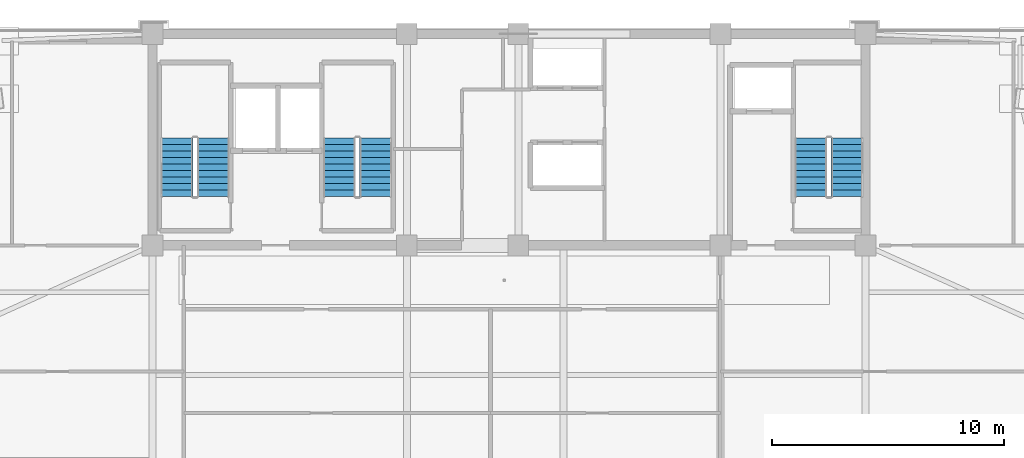
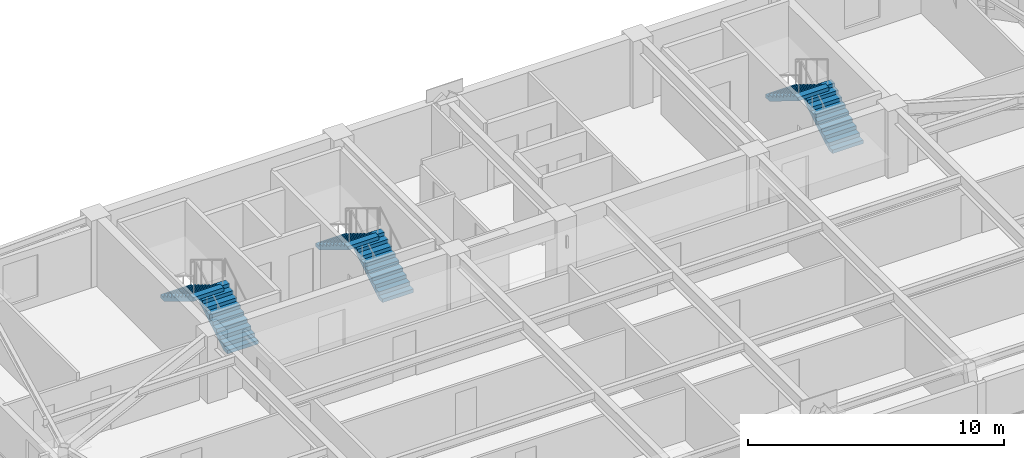
# One storey, part 9 of 14: 6 stair flights, 3 elements without a shape of their own.
"""IFC4 building model written with IfcOpenShell, lengths in metres."""

from ifc_helpers import new_model, si_unit, direction, frame, origin, place, context, subcontext, project, spatial, polyline, outline, extrude, material, type_object, element, aggregate, save


model = new_model("IFC4")

# Units and contexts
model_context = context("Model", 3, precision=1e-05, world=origin(), true_north=direction((0.0, 1.0)))
body_context = subcontext(model_context, "Body", "Model", "MODEL_VIEW")
ifc_project = project(units=[si_unit("LENGTHUNIT", "METRE"), si_unit("AREAUNIT", "SQUARE_METRE"), si_unit("VOLUMEUNIT", "CUBIC_METRE"), si_unit("PLANEANGLEUNIT", "RADIAN"), si_unit("MASSUNIT", "GRAM", prefix="KILO")], contexts=[model_context])

# Site, building, storey
site_placement = place(None, origin())
site = spatial("IfcSite", under=ifc_project, at=site_placement, CompositionType="ELEMENT")
building_placement = place(site_placement, origin())
building = spatial("IfcBuilding", under=site, at=building_placement, Name="Giltprow Tower", CompositionType="ELEMENT")
storey_placement = place(building_placement, frame((0.0, 0.0, 310.800048828125)))
storey = spatial("IfcBuildingStorey", under=building, at=storey_placement, Name="L80", CompositionType="ELEMENT", Elevation=310.800048828125)

# Stair, stair flights
ifc_material = material(Name="Concrete C40", Category="concrete")
stair_type_1 = type_object("IfcStairType", Name="STR-ST-1", PredefinedType="HALF_TURN_STAIR", material=ifc_material)
stair_1_placement = place(storey_placement, origin())
stair_1 = element("IfcStair", 1, at=stair_1_placement, inside=storey, type_object=stair_type_1, Name="L80 Core Exit Stair ST-1", PredefinedType="HALF_TURN_STAIR")
stair_flight_type_1 = type_object("IfcStairFlightType", Name="SFL-ST-1", PredefinedType="STRAIGHT", material=ifc_material)
stair_flight_1_placement = place(storey_placement, frame((22.4599609375, 39.550048828125, 0.0), z_axis=(0.0, 0.0, 1.0), x_axis=(0.0, 1.0, 0.0)))
stair_flight_1 = element("IfcStairFlight", 2, at=stair_flight_1_placement, type_object=stair_flight_type_1, Name="ST-1 flight 1", NumberOfRisers=10, NumberOfTreads=9, PredefinedType="STRAIGHT", RiserHeight=0.17, TreadLength=0.28, context=body_context, shape_type="SweptSolid", body=[
    extrude(outline(polyline([(0.0, 0.0), (0.0, 0.169921875), (0.280029296875, 0.169921875), (0.280029296875, 0.340087890625), (0.56005859375, 0.340087890625), (0.56005859375, 0.510009765625), (0.840087890625, 0.510009765625), (0.840087890625, 0.679931640625), (1.1201171875, 0.679931640625), (1.1201171875, 0.85009765625), (1.39990234375, 0.85009765625), (1.39990234375, 1.02001953125), (1.679931640625, 1.02001953125), (1.679931640625, 1.18994140625), (1.9599609375, 1.18994140625), (1.9599609375, 1.360107421875), (2.239990234375, 1.360107421875), (2.239990234375, 1.530029296875), (2.52001953125, 1.530029296875), (2.52001953125, 1.699951171875), (2.52001953125, 1.354736328125), (0.288818359375, 0.0), (0.0, 0.0)])), frame((0.0, 0.699951171875, 0.0), z_axis=(0.0, -1.0, 0.0), x_axis=(1.0, 0.0, 0.0)), (0.0, 0.0, 1.0), 1.39990234375),
])
stair_flight_2_placement = place(storey_placement, frame((20.89990234375, 42.070068359375, 1.699951171875), z_axis=(0.0, 0.0, 1.0), x_axis=(0.0, -1.0, 0.0)))
stair_flight_2 = element("IfcStairFlight", 3, at=stair_flight_2_placement, type_object=stair_flight_type_1, Name="ST-1 flight 2", NumberOfRisers=10, NumberOfTreads=9, PredefinedType="STRAIGHT", RiserHeight=0.17, TreadLength=0.28, context=body_context, shape_type="SweptSolid", body=[
    extrude(outline(polyline([(0.0, 0.0), (0.0, 0.169921875), (0.280029296875, 0.169921875), (0.280029296875, 0.340087890625), (0.56005859375, 0.340087890625), (0.56005859375, 0.510009765625), (0.840087890625, 0.510009765625), (0.840087890625, 0.679931640625), (1.1201171875, 0.679931640625), (1.1201171875, 0.85009765625), (1.39990234375, 0.85009765625), (1.39990234375, 1.02001953125), (1.679931640625, 1.02001953125), (1.679931640625, 1.18994140625), (1.9599609375, 1.18994140625), (1.9599609375, 1.360107421875), (2.239990234375, 1.360107421875), (2.239990234375, 1.530029296875), (2.52001953125, 1.530029296875), (2.52001953125, 1.699951171875), (2.52001953125, 1.354736328125), (0.288818359375, 0.0), (0.0, 0.0)])), frame((0.0, 0.699951171875, 0.0), z_axis=(0.0, -1.0, 0.0), x_axis=(1.0, 0.0, 0.0)), (0.0, 0.0, 1.0), 1.39990234375),
])
aggregate(stair_1, [stair_flight_1, stair_flight_2])

stair_type_2 = type_object("IfcStairType", Name="STR-ST-2", PredefinedType="HALF_TURN_STAIR", material=ifc_material)
stair_2_placement = place(storey_placement, origin())
stair_2 = element("IfcStair", 4, at=stair_2_placement, inside=storey, type_object=stair_type_2, Name="L80 Core Exit Stair ST-2", PredefinedType="HALF_TURN_STAIR")
stair_flight_type_2 = type_object("IfcStairFlightType", Name="SFL-ST-2", PredefinedType="STRAIGHT", material=ifc_material)
stair_flight_3_placement = place(storey_placement, frame((29.4599609375, 39.550048828125, 0.0), z_axis=(0.0, 0.0, 1.0), x_axis=(0.0, 1.0, 0.0)))
stair_flight_3 = element("IfcStairFlight", 5, at=stair_flight_3_placement, type_object=stair_flight_type_2, Name="ST-2 flight 1", NumberOfRisers=10, NumberOfTreads=9, PredefinedType="STRAIGHT", RiserHeight=0.17, TreadLength=0.28, context=body_context, shape_type="SweptSolid", body=[
    extrude(outline(polyline([(0.0, 0.0), (0.0, 0.169921875), (0.280029296875, 0.169921875), (0.280029296875, 0.340087890625), (0.56005859375, 0.340087890625), (0.56005859375, 0.510009765625), (0.840087890625, 0.510009765625), (0.840087890625, 0.679931640625), (1.1201171875, 0.679931640625), (1.1201171875, 0.85009765625), (1.39990234375, 0.85009765625), (1.39990234375, 1.02001953125), (1.679931640625, 1.02001953125), (1.679931640625, 1.18994140625), (1.9599609375, 1.18994140625), (1.9599609375, 1.360107421875), (2.239990234375, 1.360107421875), (2.239990234375, 1.530029296875), (2.52001953125, 1.530029296875), (2.52001953125, 1.699951171875), (2.52001953125, 1.354736328125), (0.288818359375, 0.0), (0.0, 0.0)])), frame((0.0, 0.699951171875, 0.0), z_axis=(0.0, -1.0, 0.0), x_axis=(1.0, 0.0, 0.0)), (0.0, 0.0, 1.0), 1.39990234375),
])
stair_flight_4_placement = place(storey_placement, frame((27.89990234375, 42.070068359375, 1.699951171875), z_axis=(0.0, 0.0, 1.0), x_axis=(0.0, -1.0, 0.0)))
stair_flight_4 = element("IfcStairFlight", 6, at=stair_flight_4_placement, type_object=stair_flight_type_2, Name="ST-2 flight 2", NumberOfRisers=10, NumberOfTreads=9, PredefinedType="STRAIGHT", RiserHeight=0.17, TreadLength=0.28, context=body_context, shape_type="SweptSolid", body=[
    extrude(outline(polyline([(0.0, 0.0), (0.0, 0.169921875), (0.280029296875, 0.169921875), (0.280029296875, 0.340087890625), (0.56005859375, 0.340087890625), (0.56005859375, 0.510009765625), (0.840087890625, 0.510009765625), (0.840087890625, 0.679931640625), (1.1201171875, 0.679931640625), (1.1201171875, 0.85009765625), (1.39990234375, 0.85009765625), (1.39990234375, 1.02001953125), (1.679931640625, 1.02001953125), (1.679931640625, 1.18994140625), (1.9599609375, 1.18994140625), (1.9599609375, 1.360107421875), (2.239990234375, 1.360107421875), (2.239990234375, 1.530029296875), (2.52001953125, 1.530029296875), (2.52001953125, 1.699951171875), (2.52001953125, 1.354736328125), (0.288818359375, 0.0), (0.0, 0.0)])), frame((0.0, 0.699951171875, 0.0), z_axis=(0.0, -1.0, 0.0), x_axis=(1.0, 0.0, 0.0)), (0.0, 0.0, 1.0), 1.39990234375),
])
aggregate(stair_2, [stair_flight_3, stair_flight_4])

stair_type_3 = type_object("IfcStairType", Name="STR-ST-3", PredefinedType="HALF_TURN_STAIR", material=ifc_material)
stair_3_placement = place(storey_placement, origin())
stair_3 = element("IfcStair", 7, at=stair_3_placement, inside=storey, type_object=stair_type_3, Name="L80 Core Exit Stair ST-3", PredefinedType="HALF_TURN_STAIR")
stair_flight_type_3 = type_object("IfcStairFlightType", Name="SFL-ST-3", PredefinedType="STRAIGHT", material=ifc_material)
stair_flight_5_placement = place(storey_placement, frame((49.760009765625, 39.550048828125, 0.0), z_axis=(0.0, 0.0, 1.0), x_axis=(0.0, 1.0, 0.0)))
stair_flight_5 = element("IfcStairFlight", 8, at=stair_flight_5_placement, type_object=stair_flight_type_3, Name="ST-3 flight 1", NumberOfRisers=10, NumberOfTreads=9, PredefinedType="STRAIGHT", RiserHeight=0.17, TreadLength=0.28, context=body_context, shape_type="SweptSolid", body=[
    extrude(outline(polyline([(0.0, 0.0), (0.0, 0.169921875), (0.280029296875, 0.169921875), (0.280029296875, 0.340087890625), (0.56005859375, 0.340087890625), (0.56005859375, 0.510009765625), (0.840087890625, 0.510009765625), (0.840087890625, 0.679931640625), (1.1201171875, 0.679931640625), (1.1201171875, 0.85009765625), (1.39990234375, 0.85009765625), (1.39990234375, 1.02001953125), (1.679931640625, 1.02001953125), (1.679931640625, 1.18994140625), (1.9599609375, 1.18994140625), (1.9599609375, 1.360107421875), (2.239990234375, 1.360107421875), (2.239990234375, 1.530029296875), (2.52001953125, 1.530029296875), (2.52001953125, 1.699951171875), (2.52001953125, 1.354736328125), (0.288818359375, 0.0), (0.0, 0.0)])), frame((0.0, 0.699951171875, 0.0), z_axis=(0.0, -1.0, 0.0), x_axis=(1.0, 0.0, 0.0)), (0.0, 0.0, 1.0), 1.39990234375),
])
stair_flight_6_placement = place(storey_placement, frame((48.199951171875, 42.070068359375, 1.699951171875), z_axis=(0.0, 0.0, 1.0), x_axis=(0.0, -1.0, 0.0)))
stair_flight_6 = element("IfcStairFlight", 9, at=stair_flight_6_placement, type_object=stair_flight_type_3, Name="ST-3 flight 2", NumberOfRisers=10, NumberOfTreads=9, PredefinedType="STRAIGHT", RiserHeight=0.17, TreadLength=0.28, context=body_context, shape_type="SweptSolid", body=[
    extrude(outline(polyline([(0.0, 0.0), (0.0, 0.169921875), (0.280029296875, 0.169921875), (0.280029296875, 0.340087890625), (0.56005859375, 0.340087890625), (0.56005859375, 0.510009765625), (0.840087890625, 0.510009765625), (0.840087890625, 0.679931640625), (1.1201171875, 0.679931640625), (1.1201171875, 0.85009765625), (1.39990234375, 0.85009765625), (1.39990234375, 1.02001953125), (1.679931640625, 1.02001953125), (1.679931640625, 1.18994140625), (1.9599609375, 1.18994140625), (1.9599609375, 1.360107421875), (2.239990234375, 1.360107421875), (2.239990234375, 1.530029296875), (2.52001953125, 1.530029296875), (2.52001953125, 1.699951171875), (2.52001953125, 1.354736328125), (0.288818359375, 0.0), (0.0, 0.0)])), frame((0.0, 0.699951171875, 0.0), z_axis=(0.0, -1.0, 0.0), x_axis=(1.0, 0.0, 0.0)), (0.0, 0.0, 1.0), 1.39990234375),
])
aggregate(stair_3, [stair_flight_5, stair_flight_6])

save(model, "model.ifc")
